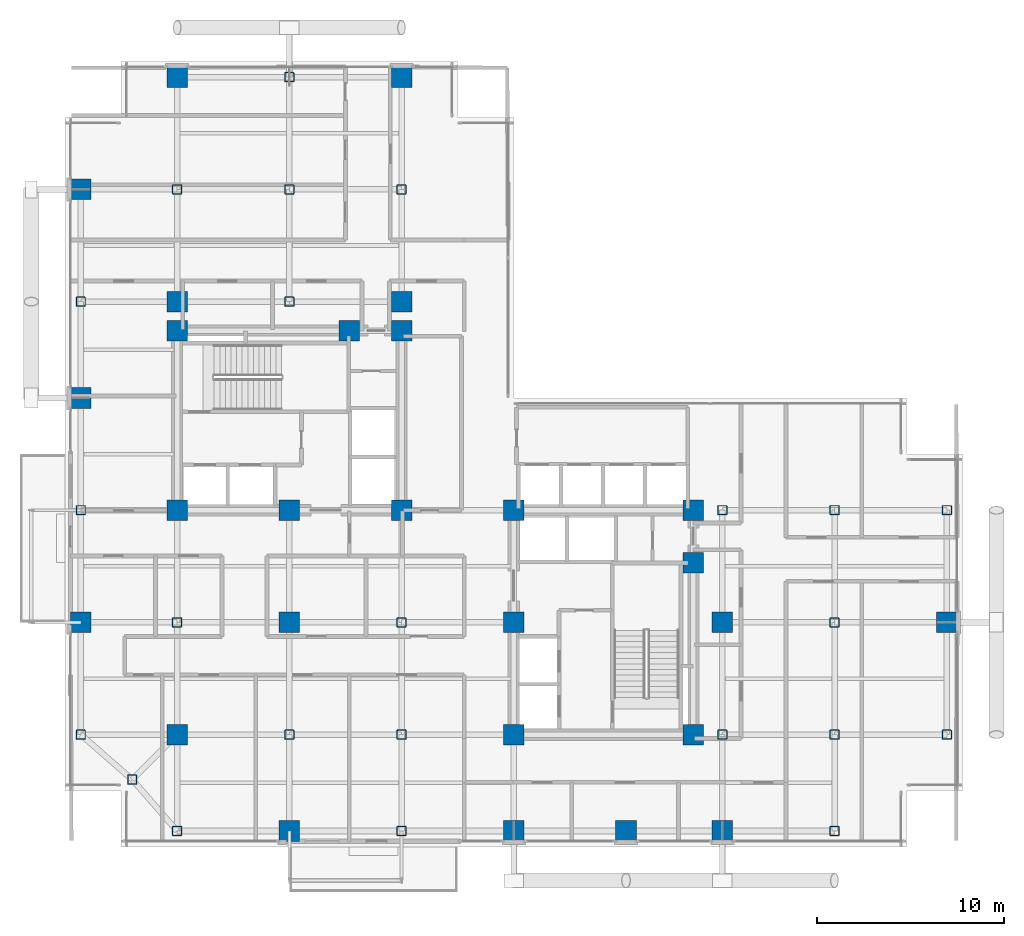
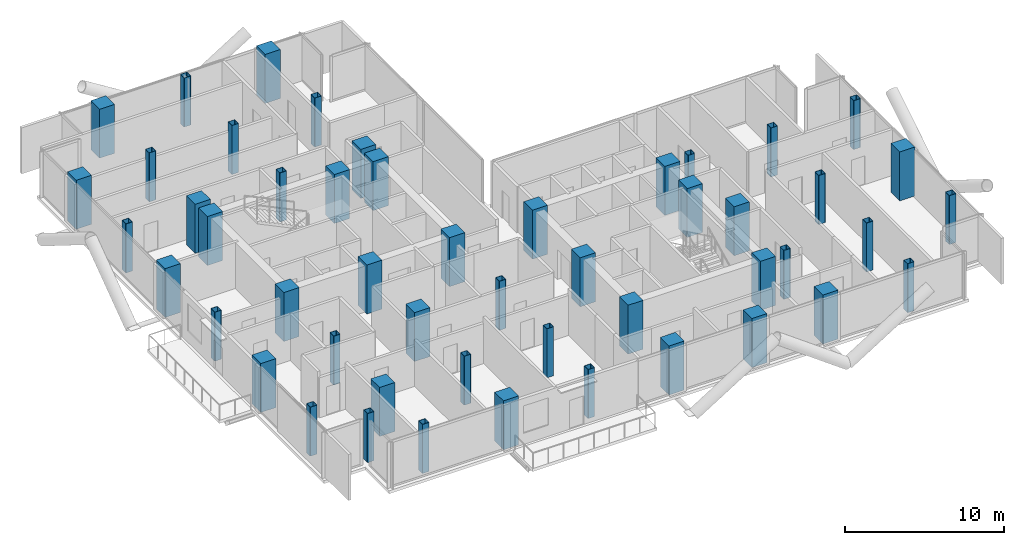
# One storey, part 1 of 24: 50 columns.
"""IFC4 building model written with IfcOpenShell, lengths in metres."""

import ifcopenshell
import ifcopenshell.guid

model = None  # the IFC model being written
_history = None  # IfcOwnerHistory: only IFC2X3 demands one
_inside = {}  # id of a spatial element -> (the spatial element, [elements in it])
_under = {}  # id of a project, library or spatial element -> (it, [spatial elements below it])
_declared = {}  # id of a project -> (the project, [libraries it declares])
_typed = {}  # id of a type object -> (the type object, [elements of that type])
_made_of = {}  # id of a material, layer set ... -> (it, [elements and type objects made of it])


def new_model(schema):
    """Start an empty IFC model of exactly this schema.

    Asked for "IFC4X3", IfcOpenShell would pick the latest addendum, in which some entities
    have other attributes; the version numbers below select the first issue.
    IFC2X3 requires an IfcOwnerHistory on every rooted entity: one is made here for all.
    """
    global model, _history
    if schema == "IFC4X3":
        model = ifcopenshell.file(schema_version=(4, 3, 0, 0))
    else:
        model = ifcopenshell.file(schema=schema)
    _inside.clear()
    _under.clear()
    _declared.clear()
    _typed.clear()
    _made_of.clear()
    _history = None
    if model.schema == "IFC2X3":
        org = make("IfcOrganization", Name="unknown")
        user = make(
            "IfcPersonAndOrganization",
            ThePerson=make("IfcPerson", FamilyName="unknown"),
            TheOrganization=org,
        )
        app = make(
            "IfcApplication",
            ApplicationDeveloper=org,
            Version="unknown",
            ApplicationFullName="unknown",
            ApplicationIdentifier="unknown",
        )
        _history = make(
            "IfcOwnerHistory",
            OwningUser=user,
            OwningApplication=app,
            ChangeAction="ADDED",
            CreationDate=0,
        )
    return model


def make(cls, **values):
    """One entity of the class cls with the attributes given. An attribute that is None is left unset."""
    return model.create_entity(
        cls, **{name: value for name, value in values.items() if value is not None}
    )


def rooted(cls, **values):
    """An entity with a GlobalId (a new one), such as an element, a storey or a relation."""
    return make(cls, GlobalId=ifcopenshell.guid.new(), OwnerHistory=_history, **values)


def si_unit(unit_type, name, prefix=None):
    """IfcSIUnit, for example si_unit("LENGTHUNIT", "METRE", prefix="MILLI")."""
    return make("IfcSIUnit", UnitType=unit_type, Prefix=prefix, Name=name)


def assignment(units):
    """IfcUnitAssignment: the units of a project."""
    return None if units is None else make("IfcUnitAssignment", Units=units)


def point(xyz):
    """IfcCartesianPoint."""
    return None if xyz is None else make("IfcCartesianPoint", Coordinates=xyz)


def direction(xyz):
    """IfcDirection."""
    return None if xyz is None else make("IfcDirection", DirectionRatios=xyz)


def frame(location, z_axis=None, x_axis=None):
    """IfcAxis2Placement3D, a coordinate frame: its origin and axes. An axis left out is left unset."""
    return make(
        "IfcAxis2Placement3D",
        Location=point(location),
        Axis=direction(z_axis),
        RefDirection=direction(x_axis),
    )


def frame_2d(location, x_axis=None):
    """IfcAxis2Placement2D, a coordinate frame in the plane: its origin and x axis."""
    return make(
        "IfcAxis2Placement2D", Location=point(location), RefDirection=direction(x_axis)
    )


def origin():
    """The frame at (0, 0, 0) with its axes left unset."""
    return frame((0.0, 0.0, 0.0))


def origin_2d():
    """The frame at (0, 0) in the plane with its x axis left unset."""
    return frame_2d((0.0, 0.0))


def place(relative_to, where):
    """IfcLocalPlacement: puts the frame where relative to a parent placement (None: the world)."""
    return make(
        "IfcLocalPlacement", PlacementRelTo=relative_to, RelativePlacement=where
    )


def context(
    kind, dimensions, precision=None, world=None, true_north=None, identifier=None
):
    """IfcGeometricRepresentationContext, for example the 3D "Model" context."""
    return make(
        "IfcGeometricRepresentationContext",
        ContextIdentifier=identifier,
        ContextType=kind,
        CoordinateSpaceDimension=dimensions,
        Precision=precision,
        WorldCoordinateSystem=world,
        TrueNorth=true_north,
    )


def subcontext(parent, identifier, kind, view, scale=None):
    """IfcGeometricRepresentationSubContext, for example "Body" below "Model"."""
    return make(
        "IfcGeometricRepresentationSubContext",
        ContextIdentifier=identifier,
        ContextType=kind,
        ParentContext=parent,
        TargetScale=scale,
        TargetView=view,
    )


def project(units=None, contexts=None):
    """IfcProject with its units and contexts."""
    return rooted(
        "IfcProject",
        Name="project",
        RepresentationContexts=contexts,
        UnitsInContext=assignment(units),
    )


def spatial(cls, under=None, at=None, **own):
    """A site, building, storey or space (cls), placed at a placement, below another one or the project."""
    s = rooted(cls, ObjectPlacement=at, **own)
    if under is not None:
        _under.setdefault(under.id(), (under, []))[1].append(s)
    return s


def profile(cls, at=None, kind="AREA", **sizes):
    """A parametric profile (cls). Its sizes go by their IFC names, for example OverallWidth=200.0."""
    return make(cls, ProfileType=kind, Position=at, **sizes)


def rectangle(**sizes):
    """IfcRectangleProfileDef."""
    return profile("IfcRectangleProfileDef", **sizes)


def hollow_rectangle(**sizes):
    """IfcRectangleHollowProfileDef."""
    return profile("IfcRectangleHollowProfileDef", **sizes)


def extrude(swept, where, along, depth):
    """IfcExtrudedAreaSolid: the profile swept, set in the frame where, extruded along a direction by depth."""
    return make(
        "IfcExtrudedAreaSolid",
        SweptArea=swept,
        Position=where,
        ExtrudedDirection=direction(along),
        Depth=depth,
    )


def shape(context_of_items, identifier, shape_type, items):
    """IfcShapeRepresentation: the items that make up one representation, for example the "Body"."""
    return make(
        "IfcShapeRepresentation",
        ContextOfItems=context_of_items,
        RepresentationIdentifier=identifier,
        RepresentationType=shape_type,
        Items=items,
    )


def material(Name=None, Category=None):
    """IfcMaterial."""
    return make("IfcMaterial", Name=Name, Category=Category)


def material_profile(
    of_material, cross_section, Name=None, Category=None, Priority=None
):
    """IfcMaterialProfile: a cross section and its material."""
    return make(
        "IfcMaterialProfile",
        Name=Name,
        Material=of_material,
        Profile=cross_section,
        Priority=Priority,
        Category=Category,
    )


def profile_set(profiles, Name=None, composite=None):
    """IfcMaterialProfileSet."""
    return make(
        "IfcMaterialProfileSet",
        Name=Name,
        MaterialProfiles=profiles,
        CompositeProfile=composite,
    )


def made_of(thing, what):
    """Note that an element or type object is made of a material, layer set ...; save() writes the relation."""
    if what is not None:
        _made_of.setdefault(what.id(), (what, []))[1].append(thing)
    return thing


def type_object(cls, material=None, **own):
    """A type object (cls), such as IfcWallType, which elements share."""
    return made_of(rooted(cls, **own), material)


def element(
    cls,
    number,
    at=None,
    inside=None,
    cuts=None,
    type_object=None,
    material=None,
    context=None,
    identifier="Body",
    shape_type=None,
    held_by="IfcProductDefinitionShape",
    body=None,
    shapes=None,
    **own,
):
    """One element of the class cls, such as IfcWall. Its Tag is "e" and its number.

    at: its placement. inside: the storey or other place that contains it. cuts: it is an
    opening in that element (IfcRelVoidsElement). A single representation is given by context,
    identifier, shape_type and body (its items); several are given by shapes. held_by: the class
    of the entity that holds the representations. save() writes the other relations.
    """
    e = rooted(cls, Tag="e%d" % number, ObjectPlacement=at, **own)
    if body is not None:
        shapes = [shape(context, identifier, shape_type, body)]
    if shapes is not None:
        e.Representation = make(held_by, Representations=shapes)
    if inside is not None:
        _inside.setdefault(inside.id(), (inside, []))[1].append(e)
    if cuts is not None:
        rooted(
            "IfcRelVoidsElement", RelatingBuildingElement=cuts, RelatedOpeningElement=e
        )
    if type_object is not None:
        _typed.setdefault(type_object.id(), (type_object, []))[1].append(e)
    return made_of(e, material)


def aggregate(whole, parts):
    """IfcRelAggregates: a whole, such as a stair, and the parts it consists of."""
    return rooted("IfcRelAggregates", RelatingObject=whole, RelatedObjects=parts)


def save(model, path):
    """Write the relations noted so far, then the file.

    IfcRelAggregates (storeys below a building ...), IfcRelContainedInSpatialStructure (elements
    in a storey), IfcRelDefinesByType, IfcRelAssociatesMaterial and IfcRelDeclares: one each for
    every whole, place, type object, material and project.
    """
    for whole, parts in _under.values():
        aggregate(whole, parts)
    for where, things in _inside.values():
        rooted(
            "IfcRelContainedInSpatialStructure",
            RelatedElements=things,
            RelatingStructure=where,
        )
    for kind, things in _typed.values():
        rooted("IfcRelDefinesByType", RelatedObjects=things, RelatingType=kind)
    for what, things in _made_of.values():
        rooted("IfcRelAssociatesMaterial", RelatedObjects=things, RelatingMaterial=what)
    for by, libraries in _declared.values():
        rooted("IfcRelDeclares", RelatingContext=by, RelatedDefinitions=libraries)
    model.write(path)


model = new_model("IFC4")

# Units and contexts
model_context = context("Model", 3, precision=1e-05, world=origin(), true_north=direction((0.0, 1.0)))
body_context = subcontext(model_context, "Body", "Model", "MODEL_VIEW")
ifc_project = project(units=[si_unit("LENGTHUNIT", "METRE"), si_unit("AREAUNIT", "SQUARE_METRE"), si_unit("VOLUMEUNIT", "CUBIC_METRE"), si_unit("PLANEANGLEUNIT", "RADIAN"), si_unit("MASSUNIT", "GRAM", prefix="KILO"), si_unit("THERMODYNAMICTEMPERATUREUNIT", "KELVIN"), si_unit("POWERUNIT", "WATT")], contexts=[model_context])

# Site, building, storey
site_placement = place(None, origin())
site = spatial("IfcSite", under=ifc_project, at=site_placement, CompositionType="ELEMENT")
building_placement = place(site_placement, origin())
building = spatial("IfcBuilding", under=site, at=building_placement, Name="Svarakhadi Broadcast Tower", CompositionType="ELEMENT")
storey_placement = place(building_placement, frame((0.0, 0.0, 115.64990234375)))
storey = spatial("IfcBuildingStorey", under=building, at=storey_placement, Name="L27", CompositionType="ELEMENT", Elevation=115.64990234375)

# Columns
ifc_material_1 = material(Name="Concrete C50/60 (IS 456 M60)", Category="concrete")
ifc_material_profile_1 = material_profile(ifc_material_1, rectangle(XDim=1.10009765625, YDim=1.10009765625, at=origin_2d()), Name="RC 1100x1100")
ifc_profile_set_1 = profile_set([ifc_material_profile_1], Name="Concrete C50/60 (IS 456 M60)")
column_type_1 = type_object("IfcColumnType", Name="Col_RC1100", PredefinedType="COLUMN", material=ifc_profile_set_1)
for number, where, z_axis, x_axis, name in (
    (1, (6.0, 18.0, 0.0), (0.0, 0.0, 1.0), (1.0, 0.0, 0.0), "L27 Column CW1"),
    (2, (12.0, 18.0, 0.0), (0.0, 0.0, 1.0), (1.0, 0.0, 0.0), "L27 Column CW2"),
    (3, (18.0, 18.0, 0.0), (0.0, 0.0, 1.0), (1.0, 0.0, 0.0), "L27 Column CW3"),
    (4, (6.0, 27.60009765625, 0.0), (0.0, 0.0, 1.0), (1.0, 0.0, 0.0), "L27 Column CW4"),
    (5, (15.199951171875, 27.60009765625, 0.0), (0.0, 0.0, 1.0), (1.0, 0.0, 0.0), "L27 Column CW5"),
    (6, (18.0, 27.60009765625, 0.0), (0.0, 0.0, 1.0), (1.0, 0.0, 0.0), "L27 Column CW6"),
    (7, (24.0, 6.0, 0.0), (0.0, 0.0, 1.0), (1.0, 0.0, 0.0), "L27 Column CE1"),
    (8, (24.0, 12.0, 0.0), (0.0, 0.0, 1.0), (1.0, 0.0, 0.0), "L27 Column CE2"),
    (9, (24.0, 18.0, 0.0), (0.0, 0.0, 1.0), (1.0, 0.0, 0.0), "L27 Column CE3"),
    (10, (33.60009765625, 6.0, 0.0), (0.0, 0.0, 1.0), (1.0, 0.0, 0.0), "L27 Column CE4"),
    (11, (33.60009765625, 15.199951171875, 0.0), (0.0, 0.0, 1.0), (1.0, 0.0, 0.0), "L27 Column CE5"),
    (12, (33.60009765625, 18.0, 0.0), (0.0, 0.0, 1.0), (1.0, 0.0, 0.0), "L27 Column CE6"),
    (13, (0.85009765625, 12.0, 0.0), (0.0, 0.0, 1.0), (1.0, 0.0, 0.0), "L27 Column G04"),
    (14, (0.85009765625, 24.0, 0.0), (0.0, 0.0, 1.0), (1.0, 0.0, 0.0), "L27 Column G06"),
    (15, (0.85009765625, 35.14990234375, 0.0), (0.0, 0.0, 1.0), (1.0, 0.0, 0.0), "L27 Column G08"),
    (16, (6.0, 6.0, 0.0), (0.0, 0.0, 1.0), (1.0, 0.0, 0.0), "L27 Column G12"),
    (17, (6.0, 29.14990234375, 0.0), (0.0, 0.0, 1.0), (1.0, 0.0, 0.0), "L27 Column G14"),
    (18, (6.0, 41.14990234375, 0.0), (0.0, 0.0, 1.0), (1.0, 0.0, 0.0), "L27 Column G16"),
    (19, (12.0, 0.85009765625, 0.0), (0.0, 0.0, 1.0), (1.0, 0.0, 0.0), "L27 Column G18"),
    (20, (12.0, 12.0, 0.0), (0.0, 0.0, 1.0), (1.0, 0.0, 0.0), "L27 Column G20"),
    (21, (18.0, 29.14990234375, 0.0), (0.0, 0.0, 1.0), (1.0, 0.0, 0.0), "L27 Column G28"),
    (22, (18.0, 41.14990234375, 0.0), (0.0, 0.0, 1.0), (1.0, 0.0, 0.0), "L27 Column G30"),
    (23, (24.0, 0.85009765625, 0.0), (0.0, 0.0, 1.0), (1.0, 0.0, 0.0), "L27 Column G32"),
    (24, (30.0, 0.85009765625, 0.0), (0.0, 0.0, 1.0), (1.0, 0.0, 0.0), "L27 Column G36"),
    (25, (35.14990234375, 0.85009765625, 0.0), (0.0, 0.0, 1.0), (1.0, 0.0, 0.0), "L27 Column G38"),
    (26, (35.14990234375, 12.0, 0.0), (0.0, 0.0, 1.0), (1.0, 0.0, 0.0), "L27 Column G40"),
    (27, (47.14990234375, 12.0, 0.0), (0.0, 0.0, 1.0), (1.0, 0.0, 0.0), "L27 Column G52"),
):
    element("IfcColumn", number, at=place(storey_placement, frame(where, z_axis=z_axis, x_axis=x_axis)), inside=storey, type_object=column_type_1, Name=name, PredefinedType="COLUMN", context=body_context, shape_type="SweptSolid", body=[
        extrude(rectangle(XDim=1.10009765625, YDim=1.10009765625, at=origin_2d()), origin(), (0.0, 0.0, 1.0), 3.75),
    ])
ifc_material_2 = material(Name="Steel S460ML (IS 2062 E450BR)", Category="steel")
ifc_material_profile_2 = material_profile(ifc_material_2, hollow_rectangle(XDim=0.5, YDim=0.5, WallThickness=0.02490234375, InnerFilletRadius=0.02490234375, OuterFilletRadius=0.0400390625, at=origin_2d()), Name="SHS 500x500x25")
ifc_profile_set_2 = profile_set([ifc_material_profile_2], Name="Steel S460ML (IS 2062 E450BR)")
column_type_2 = type_object("IfcColumnType", Name="Col_SHS500", PredefinedType="COLUMN", material=ifc_profile_set_2)
for number, where, z_axis, x_axis, name in (
    (28, (3.60009765625, 3.60009765625, 0.0), (0.0, 0.0, 1.0), (1.0, 0.0, 0.0), "L27 Column G01"),
    (29, (0.85009765625, 6.0, 0.0), (0.0, 0.0, 1.0), (1.0, 0.0, 0.0), "L27 Column G03"),
    (30, (0.85009765625, 18.0, 0.0), (0.0, 0.0, 1.0), (1.0, 0.0, 0.0), "L27 Column G05"),
    (31, (0.85009765625, 29.14990234375, 0.0), (0.0, 0.0, 1.0), (1.0, 0.0, 0.0), "L27 Column G07"),
    (32, (6.0, 0.85009765625, 0.0), (0.0, 0.0, 1.0), (1.0, 0.0, 0.0), "L27 Column G11"),
    (33, (6.0, 12.0, 0.0), (0.0, 0.0, 1.0), (1.0, 0.0, 0.0), "L27 Column G13"),
    (34, (6.0, 35.14990234375, 0.0), (0.0, 0.0, 1.0), (1.0, 0.0, 0.0), "L27 Column G15"),
    (35, (12.0, 6.0, 0.0), (0.0, 0.0, 1.0), (1.0, 0.0, 0.0), "L27 Column G19"),
    (36, (12.0, 29.14990234375, 0.0), (0.0, 0.0, 1.0), (1.0, 0.0, 0.0), "L27 Column G21"),
    (37, (12.0, 35.14990234375, 0.0), (0.0, 0.0, 1.0), (1.0, 0.0, 0.0), "L27 Column G22"),
    (38, (12.0, 41.14990234375, 0.0), (0.0, 0.0, 1.0), (1.0, 0.0, 0.0), "L27 Column G23"),
    (39, (18.0, 0.85009765625, 0.0), (0.0, 0.0, 1.0), (1.0, 0.0, 0.0), "L27 Column G25"),
    (40, (18.0, 6.0, 0.0), (0.0, 0.0, 1.0), (1.0, 0.0, 0.0), "L27 Column G26"),
    (41, (18.0, 12.0, 0.0), (0.0, 0.0, 1.0), (1.0, 0.0, 0.0), "L27 Column G27"),
    (42, (18.0, 35.14990234375, 0.0), (0.0, 0.0, 1.0), (1.0, 0.0, 0.0), "L27 Column G29"),
    (43, (35.14990234375, 6.0, 0.0), (0.0, 0.0, 1.0), (1.0, 0.0, 0.0), "L27 Column G39"),
    (44, (35.14990234375, 18.0, 0.0), (0.0, 0.0, 1.0), (1.0, 0.0, 0.0), "L27 Column G41"),
    (45, (41.14990234375, 0.85009765625, 0.0), (0.0, 0.0, 1.0), (1.0, 0.0, 0.0), "L27 Column G43"),
    (46, (41.14990234375, 6.0, 0.0), (0.0, 0.0, 1.0), (1.0, 0.0, 0.0), "L27 Column G44"),
    (47, (41.14990234375, 12.0, 0.0), (0.0, 0.0, 1.0), (1.0, 0.0, 0.0), "L27 Column G45"),
    (48, (41.14990234375, 18.0, 0.0), (0.0, 0.0, 1.0), (1.0, 0.0, 0.0), "L27 Column G46"),
    (49, (47.14990234375, 6.0, 0.0), (0.0, 0.0, 1.0), (1.0, 0.0, 0.0), "L27 Column G51"),
    (50, (47.14990234375, 18.0, 0.0), (0.0, 0.0, 1.0), (1.0, 0.0, 0.0), "L27 Column G53"),
):
    element("IfcColumn", number, at=place(storey_placement, frame(where, z_axis=z_axis, x_axis=x_axis)), inside=storey, type_object=column_type_2, Name=name, PredefinedType="COLUMN", context=body_context, shape_type="SweptSolid", body=[
        extrude(hollow_rectangle(XDim=0.5, YDim=0.5, WallThickness=0.02490234375, InnerFilletRadius=0.02490234375, OuterFilletRadius=0.0400390625, at=origin_2d()), origin(), (0.0, 0.0, 1.0), 3.75),
    ])

save(model, "model.ifc")
